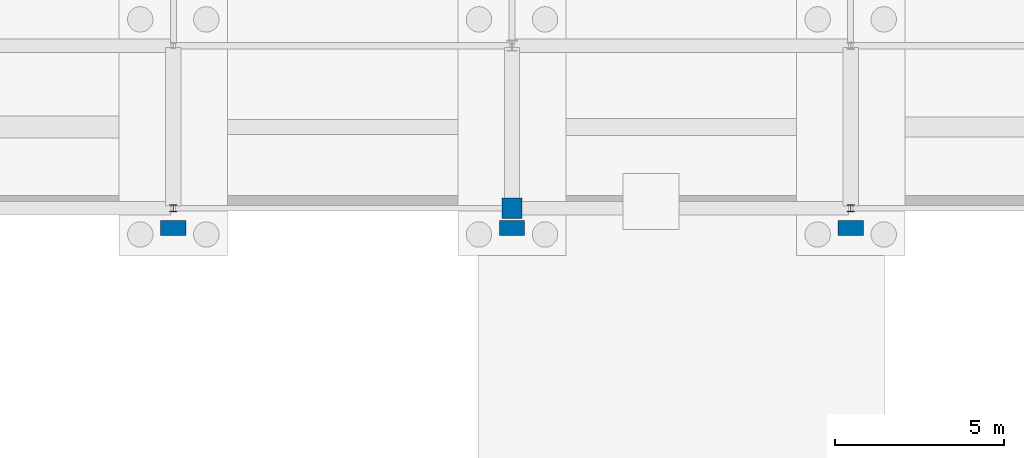
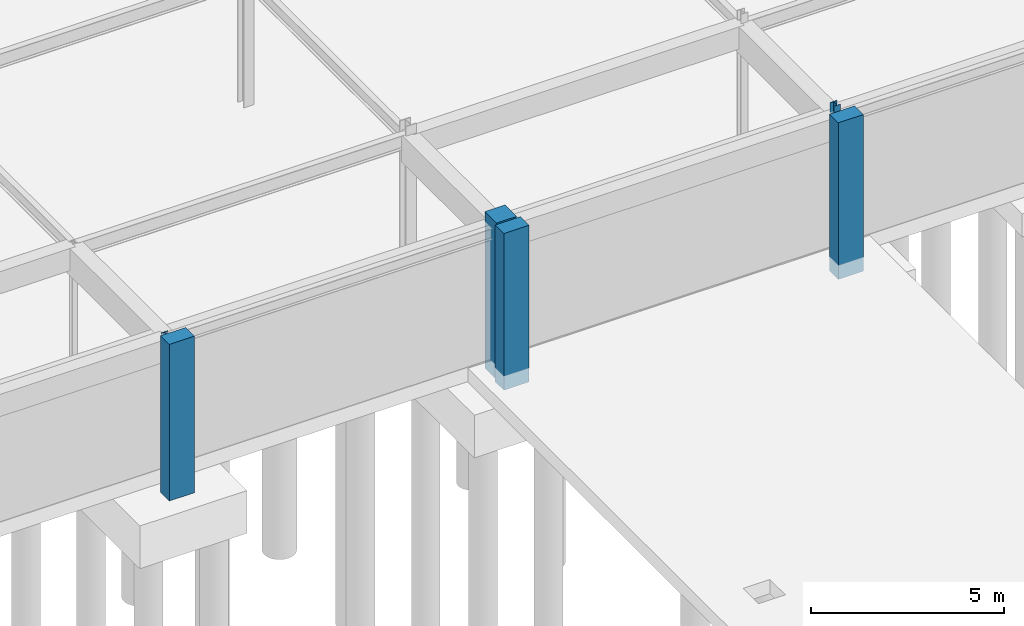
# One storey, part 30 of 75: 6 columns.
"""IFC4 building model written with IfcOpenShell, lengths in metres."""

from ifc_helpers import new_model, si_unit, derived_unit, direction, frame, origin, origin_2d_with_axis, place, context, subcontext, project, spatial, rectangle, i_section, extrude, material, material_profile, profile_set, type_object, element, save


model = new_model("IFC4")

# Units and contexts
model_context = context("Model", 3, precision=1e-05, world=origin(), true_north=direction((0.0, 1.0)))
body_context = subcontext(model_context, "Body", "Model", "MODEL_VIEW")
ifc_project = project(units=[si_unit("LENGTHUNIT", "METRE"), si_unit("AREAUNIT", "SQUARE_METRE"), si_unit("VOLUMEUNIT", "CUBIC_METRE"), si_unit("PLANEANGLEUNIT", "RADIAN"), si_unit("MASSUNIT", "GRAM", prefix="KILO"), derived_unit("THERMALTRANSMITTANCEUNIT", [(si_unit("POWERUNIT", "WATT"), 1), (si_unit("LENGTHUNIT", "METRE"), -2), (si_unit("THERMODYNAMICTEMPERATUREUNIT", "KELVIN"), -1)])], contexts=[model_context])

# Site, building, storey
site_placement = place(None, origin())
site = spatial("IfcSite", under=ifc_project, at=site_placement, CompositionType="ELEMENT")
building_placement = place(site_placement, origin())
building = spatial("IfcBuilding", under=site, at=building_placement, Name="Cinnabar Yard Market Hall", CompositionType="ELEMENT")
storey_placement = place(building_placement, frame((0.0, 0.0, -4.5)))
storey = spatial("IfcBuildingStorey", under=building, at=storey_placement, Name="B1", CompositionType="ELEMENT", Elevation=-4.5)

# Columns
ifc_material_1 = material(Name="Steel Grade 300 (300 MPa)", Category="steel")
ifc_material_profile_1 = material_profile(ifc_material_1, i_section(OverallWidth=0.203369140625, OverallDepth=0.203369140625, WebThickness=0.00732421875, FlangeThickness=0.010986328125, FilletRadius=0.011474609375, at=origin_2d_with_axis()), Name="200UC46.2")
ifc_profile_set_1 = profile_set([ifc_material_profile_1], Name="Steel Grade 300 (300 MPa)")
column_type_1 = type_object("IfcColumnType", Name="COL-C13", PredefinedType="COLUMN", material=ifc_profile_set_1)
column_1_placement = place(storey_placement, frame((96.0, 108.0, -0.449951171875), z_axis=(0.0, 0.0, 1.0), x_axis=(1.0, 0.0, 0.0)))
element("IfcColumn", 1, at=column_1_placement, inside=storey, type_object=column_type_1, Name="Wing Column V3-04-01 B1", PredefinedType="COLUMN", context=body_context, shape_type="SweptSolid", body=[
    extrude(i_section(OverallWidth=0.203369140625, OverallDepth=0.203369140625, WebThickness=0.00732421875, FlangeThickness=0.010986328125, FilletRadius=0.011474609375, at=origin_2d_with_axis()), origin(), (0.0, 0.0, 1.0), 4.949951171875),
])
ifc_material_profile_2 = material_profile(ifc_material_1, i_section(OverallWidth=0.205078125, OverallDepth=0.209716796875, WebThickness=0.00927734375, FlangeThickness=0.01416015625, FilletRadius=0.011474609375, at=origin_2d_with_axis()), Name="200UC59.5")
ifc_profile_set_2 = profile_set([ifc_material_profile_2], Name="Steel Grade 300 (300 MPa)")
column_type_2 = type_object("IfcColumnType", Name="COL-C17", PredefinedType="COLUMN", material=ifc_profile_set_2)
column_2_placement = place(storey_placement, frame((76.0, 108.0, -0.449951171875), z_axis=(0.0, 0.0, 1.0), x_axis=(1.0, 0.0, 0.0)))
element("IfcColumn", 2, at=column_2_placement, inside=storey, type_object=column_type_2, Name="Wing Column V3-02-01 B1", PredefinedType="COLUMN", context=body_context, shape_type="SweptSolid", body=[
    extrude(i_section(OverallWidth=0.205078125, OverallDepth=0.209716796875, WebThickness=0.00927734375, FlangeThickness=0.01416015625, FilletRadius=0.011474609375, at=origin_2d_with_axis()), origin(), (0.0, 0.0, 1.0), 4.669921875),
])
ifc_material_2 = material(Name="Concrete 40 MPa", Category="concrete")
ifc_material_profile_3 = material_profile(ifc_material_2, rectangle(XDim=0.75, YDim=0.449951171875, at=origin_2d_with_axis()), Name="RC-750x450")
ifc_profile_set_3 = profile_set([ifc_material_profile_3], Name="Concrete 40 MPa")
column_type_3 = type_object("IfcColumnType", Name="COL-PIL1", PredefinedType="PILASTER", material=ifc_profile_set_3)
for number, where, z_axis, x_axis, name in (
    (3, (76.0, 107.419921875, -0.449951171875), (0.0, 0.0, 1.0), (1.0, 0.0, 0.0), "Pilaster Pier 01"),
    (4, (86.0, 107.419921875, -0.449951171875), (0.0, 0.0, 1.0), (1.0, 0.0, 0.0), "Pilaster Pier 02"),
    (5, (96.0, 107.419921875, -0.449951171875), (0.0, 0.0, 1.0), (1.0, 0.0, 0.0), "Pilaster Pier 03"),
):
    element("IfcColumn", number, at=place(storey_placement, frame(where, z_axis=z_axis, x_axis=x_axis)), inside=storey, type_object=column_type_3, Name=name, PredefinedType="PILASTER", context=body_context, shape_type="SweptSolid", body=[
        extrude(rectangle(XDim=0.75, YDim=0.449951171875, at=origin_2d_with_axis()), origin(), (0.0, 0.0, 1.0), 4.949951171875),
    ])
ifc_material_profile_4 = material_profile(ifc_material_2, rectangle(XDim=0.60009765625, YDim=0.60009765625, at=origin_2d_with_axis()), Name="RC-600x600")
ifc_profile_set_4 = profile_set([ifc_material_profile_4], Name="Concrete 40 MPa")
column_type_4 = type_object("IfcColumnType", Name="COL-RC2", PredefinedType="COLUMN", material=ifc_profile_set_4)
column_3_placement = place(storey_placement, frame((86.0, 108.0, -0.449951171875), z_axis=(0.0, 0.0, 1.0), x_axis=(1.0, 0.0, 0.0)))
element("IfcColumn", 6, at=column_3_placement, inside=storey, type_object=column_type_4, Name="Wing Column V3-03-01 B1", PredefinedType="COLUMN", context=body_context, shape_type="SweptSolid", body=[
    extrude(rectangle(XDim=0.60009765625, YDim=0.60009765625, at=origin_2d_with_axis()), origin(), (0.0, 0.0, 1.0), 4.949951171875),
])

save(model, "model.ifc")
